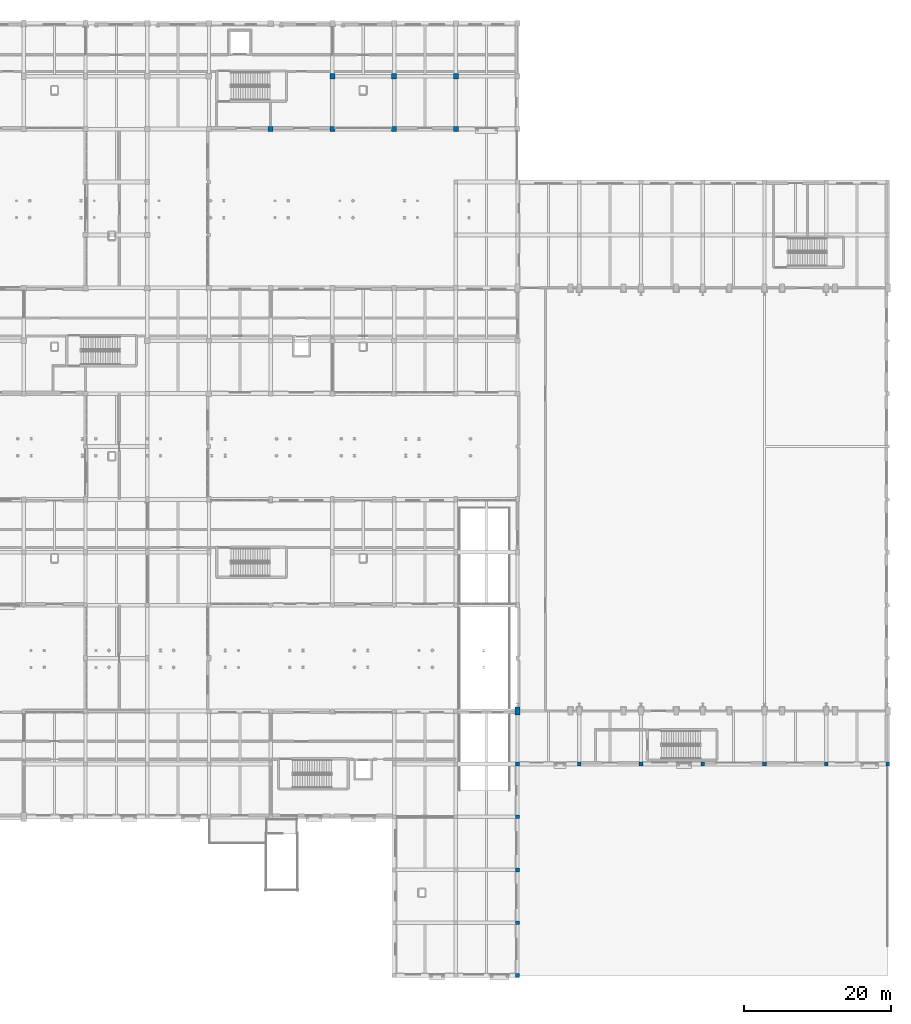
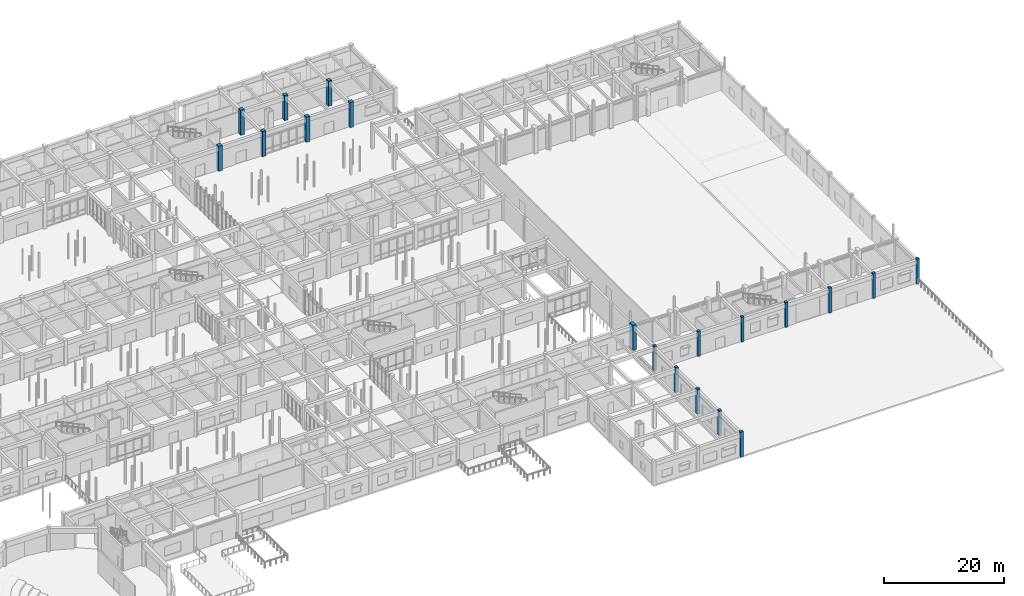
# One storey, part 28 of 121: 19 columns.
"""IFC4 building model written with IfcOpenShell, lengths in metres."""

from ifc_helpers import new_model, si_unit, direction, frame, origin, origin_2d, place, context, subcontext, project, spatial, rectangle, extrude, material, material_profile, profile_set, type_object, element, save


model = new_model("IFC4")

# Units and contexts
model_context = context("Model", 3, precision=1e-05, world=origin(), true_north=direction((0.0, 1.0)))
body_context = subcontext(model_context, "Body", "Model", "MODEL_VIEW")
ifc_project = project(units=[si_unit("LENGTHUNIT", "METRE"), si_unit("AREAUNIT", "SQUARE_METRE"), si_unit("VOLUMEUNIT", "CUBIC_METRE"), si_unit("PLANEANGLEUNIT", "RADIAN"), si_unit("MASSUNIT", "GRAM", prefix="KILO")], contexts=[model_context])

# Site, building, storey
site_placement = place(None, origin())
site = spatial("IfcSite", under=ifc_project, at=site_placement, CompositionType="ELEMENT")
building_placement = place(site_placement, origin())
building = spatial("IfcBuilding", under=site, at=building_placement, Name="Malvenik Polytechnic", CompositionType="ELEMENT")
storey_placement = place(building_placement, origin())
storey = spatial("IfcBuildingStorey", under=building, at=storey_placement, Name="L00", CompositionType="ELEMENT", Elevation=0.0)

# Columns
ifc_material_1 = material(Name="Concrete C40/50", Category="concrete")
ifc_material_profile_1 = material_profile(ifc_material_1, rectangle(XDim=0.699951171875, YDim=0.699951171875, at=origin_2d()), Name="RC COL 700x700")
ifc_profile_set_1 = profile_set([ifc_material_profile_1], Name="Concrete C40/50")
column_type_1 = type_object("IfcColumnType", Name="STR-COL-C-04", PredefinedType="COLUMN", material=ifc_profile_set_1)
for number, where, z_axis, x_axis, name in (
    (1, (100.800048828125, 115.199951171875, 0.0), (0.0, 0.0, 1.0), (1.0, 0.0, 0.0), "Column C-04 L00 (100.8,115.2)"),
    (2, (109.199951171875, 115.199951171875, 0.0), (0.0, 0.0, 1.0), (1.0, 0.0, 0.0), "Column C-04 L00 (109.2,115.2)"),
    (3, (109.199951171875, 122.39990234375, 0.0), (0.0, 0.0, 1.0), (1.0, 0.0, 0.0), "Column C-04 L00 (109.2,122.4)"),
    (4, (117.60009765625, 115.199951171875, 0.0), (0.0, 0.0, 1.0), (1.0, 0.0, 0.0), "Column C-04 L00 (117.6,115.2)"),
    (5, (117.60009765625, 122.39990234375, 0.0), (0.0, 0.0, 1.0), (1.0, 0.0, 0.0), "Column C-04 L00 (117.6,122.4)"),
    (6, (126.0, 115.199951171875, 0.0), (0.0, 0.0, 1.0), (1.0, 0.0, 0.0), "Column C-04 L00 (126.0,115.2)"),
    (7, (126.0, 122.39990234375, 0.0), (0.0, 0.0, 1.0), (1.0, 0.0, 0.0), "Column C-04 L00 (126.0,122.4)"),
):
    element("IfcColumn", number, at=place(storey_placement, frame(where, z_axis=z_axis, x_axis=x_axis)), inside=storey, type_object=column_type_1, Name=name, PredefinedType="COLUMN", context=body_context, shape_type="SweptSolid", body=[
        extrude(rectangle(XDim=0.699951171875, YDim=0.699951171875, at=origin_2d()), origin(), (0.0, 0.0, 1.0), 5.10009765625),
    ])
ifc_material_2 = material(Name="Concrete C35/45", Category="concrete")
ifc_material_profile_2 = material_profile(ifc_material_2, rectangle(XDim=0.550048828125, YDim=0.550048828125, at=origin_2d()), Name="RC COL 550x550")
ifc_profile_set_2 = profile_set([ifc_material_profile_2], Name="Concrete C35/45")
column_type_2 = type_object("IfcColumnType", Name="STR-COL-C-07", PredefinedType="COLUMN", material=ifc_profile_set_2)
for number, where, z_axis, x_axis, name in (
    (8, (134.39990234375, 0.0, 0.0), (0.0, 0.0, 1.0), (1.0, 0.0, 0.0), "Column C-07 L00 (134.4,0.0)"),
    (9, (134.39990234375, 14.39990234375, 0.0), (0.0, 0.0, 1.0), (1.0, 0.0, 0.0), "Column C-07 L00 (134.4,14.4)"),
):
    element("IfcColumn", number, at=place(storey_placement, frame(where, z_axis=z_axis, x_axis=x_axis)), inside=storey, type_object=column_type_2, Name=name, PredefinedType="COLUMN", context=body_context, shape_type="SweptSolid", body=[
        extrude(rectangle(XDim=0.550048828125, YDim=0.550048828125, at=origin_2d()), origin(), (0.0, 0.0, 1.0), 5.10009765625),
    ])
ifc_material_profile_3 = material_profile(ifc_material_2, rectangle(XDim=0.5, YDim=0.5, at=origin_2d()), Name="RC COL 500x500")
ifc_profile_set_3 = profile_set([ifc_material_profile_3], Name="Concrete C35/45")
column_type_3 = type_object("IfcColumnType", Name="STR-COL-C-08", PredefinedType="COLUMN", material=ifc_profile_set_3)
for number, where, z_axis, x_axis, name in (
    (10, (134.39990234375, 7.199951171875, 0.0), (0.0, 0.0, 1.0), (1.0, 0.0, 0.0), "Column C-08 L00 (134.4,7.2)"),
    (11, (134.39990234375, 21.60009765625, 0.0), (0.0, 0.0, 1.0), (1.0, 0.0, 0.0), "Column C-08 L00 (134.4,21.6)"),
    (12, (134.39990234375, 28.800048828125, 0.0), (0.0, 0.0, 1.0), (1.0, 0.0, 0.0), "Column C-08 L00 (134.4,28.8)"),
    (13, (142.800048828125, 28.800048828125, 0.0), (0.0, 0.0, 1.0), (1.0, 0.0, 0.0), "Column C-08 L00 (142.8,28.8)"),
    (14, (151.199951171875, 28.800048828125, 0.0), (0.0, 0.0, 1.0), (1.0, 0.0, 0.0), "Column C-08 L00 (151.2,28.8)"),
    (15, (159.60009765625, 28.800048828125, 0.0), (0.0, 0.0, 1.0), (1.0, 0.0, 0.0), "Column C-08 L00 (159.6,28.8)"),
    (16, (168.0, 28.800048828125, 0.0), (0.0, 0.0, 1.0), (1.0, 0.0, 0.0), "Column C-08 L00 (168.0,28.8)"),
    (17, (176.39990234375, 28.800048828125, 0.0), (0.0, 0.0, 1.0), (1.0, 0.0, 0.0), "Column C-08 L00 (176.4,28.8)"),
    (18, (184.800048828125, 28.800048828125, 0.0), (0.0, 0.0, 1.0), (1.0, 0.0, 0.0), "Column C-08 L00 (184.8,28.8)"),
):
    element("IfcColumn", number, at=place(storey_placement, frame(where, z_axis=z_axis, x_axis=x_axis)), inside=storey, type_object=column_type_3, Name=name, PredefinedType="COLUMN", context=body_context, shape_type="SweptSolid", body=[
        extrude(rectangle(XDim=0.5, YDim=0.5, at=origin_2d()), origin(), (0.0, 0.0, 1.0), 5.10009765625),
    ])
ifc_material_profile_4 = material_profile(ifc_material_2, rectangle(XDim=0.64990234375, YDim=1.10009765625, at=origin_2d()), Name="RC COL 1100x650")
ifc_profile_set_4 = profile_set([ifc_material_profile_4], Name="Concrete C35/45")
column_type_4 = type_object("IfcColumnType", Name="STR-COL-C-12", PredefinedType="COLUMN", material=ifc_profile_set_4)
column_placement = place(storey_placement, frame((134.39990234375, 36.0, 0.0), z_axis=(0.0, 0.0, 1.0), x_axis=(1.0, 0.0, 0.0)))
element("IfcColumn", 19, at=column_placement, inside=storey, type_object=column_type_4, Name="Column C-12 L00 (134.4,36.0)", PredefinedType="COLUMN", context=body_context, shape_type="SweptSolid", body=[
    extrude(rectangle(XDim=0.64990234375, YDim=1.10009765625, at=origin_2d()), origin(), (0.0, 0.0, 1.0), 5.10009765625),
])

save(model, "model.ifc")
